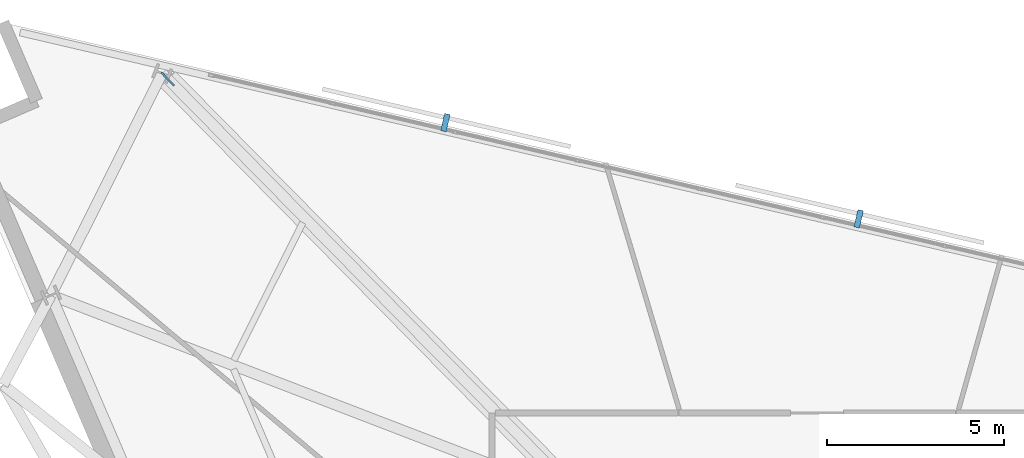
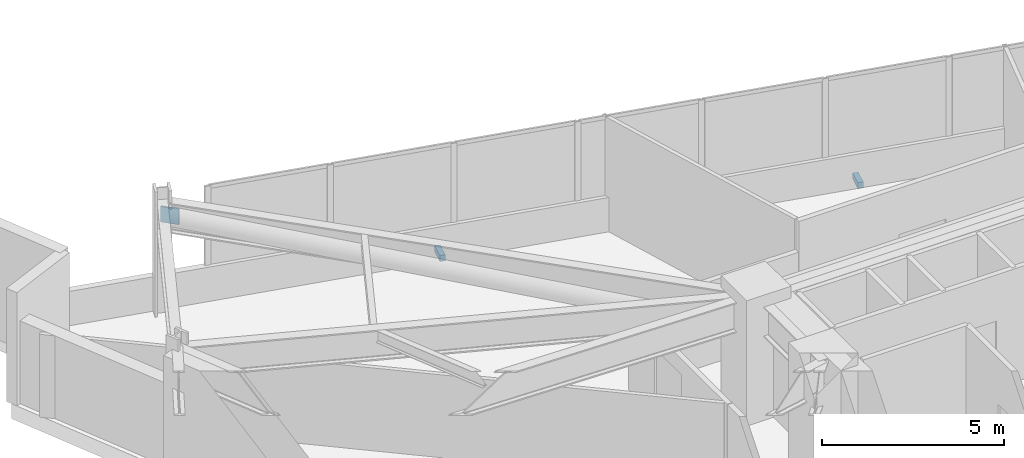
# One storey, part 12 of 14: 3 discrete accessories.
"""IFC4 building model written with IfcOpenShell, lengths in metres."""

from ifc_helpers import new_model, si_unit, direction, frame, origin, origin_2d, place, context, subcontext, project, spatial, rectangle, extrude, material, type_object, element, save


model = new_model("IFC4")

# Units and contexts
model_context = context("Model", 3, precision=1e-05, world=origin(), true_north=direction((0.0, 1.0)))
body_context = subcontext(model_context, "Body", "Model", "MODEL_VIEW")
ifc_project = project(units=[si_unit("LENGTHUNIT", "METRE"), si_unit("AREAUNIT", "SQUARE_METRE"), si_unit("VOLUMEUNIT", "CUBIC_METRE"), si_unit("PLANEANGLEUNIT", "RADIAN"), si_unit("MASSUNIT", "GRAM", prefix="KILO")], contexts=[model_context])

# Site, building, storey
site_placement = place(None, origin())
site = spatial("IfcSite", under=ifc_project, at=site_placement, CompositionType="ELEMENT")
building_placement = place(site_placement, origin())
building = spatial("IfcBuilding", under=site, at=building_placement, Name="Narakoshi Arena Tower", CompositionType="ELEMENT")
storey_placement = place(building_placement, frame((0.0, 0.0, 196.699951171875)))
storey = spatial("IfcBuildingStorey", under=building, at=storey_placement, Name="L53", CompositionType="ELEMENT", Elevation=196.699951171875)

# Discrete accessories
ifc_material_1 = material(Name="Structural steel S355J2", Category="steel")
discrete_accessory_type_1 = type_object("IfcDiscreteAccessoryType", Name="ACC-BRK-SCR", PredefinedType="BRACKET", material=ifc_material_1)
for number, where, z_axis, x_axis, name in (
    (1, (79.8173828125, 64.438720703125, -0.080078125), (0.0, 0.0, 1.0), (-0.973960141659, 0.226719303234, 0.0), "L53 Solar Screen Support Bracket SHD-L53-PLV2-1"),
    (2, (68.1298828125, 67.159423828125, -0.080078125), (0.0, 0.0, 1.0), (-0.973960141659, 0.226719303234, 0.0), "L53 Solar Screen Support Bracket SHD-L53-PLV2-2"),
):
    element("IfcDiscreteAccessory", number, at=place(storey_placement, frame(where, z_axis=z_axis, x_axis=x_axis)), inside=storey, type_object=discrete_accessory_type_1, Name=name, PredefinedType="BRACKET", context=body_context, shape_type="SweptSolid", body=[
        extrude(rectangle(XDim=0.159912109375, YDim=0.5, at=origin_2d()), origin(), (0.0, 0.0, 1.0), 0.199951171875),
    ])
ifc_material_2 = material(Name="Structural steel S460ML", Category="steel")
discrete_accessory_type_2 = type_object("IfcDiscreteAccessoryType", Name="ACC-GUS-PLT", PredefinedType="BRACKET", material=ifc_material_2)
discrete_accessory_placement = place(storey_placement, frame((60.276123046875, 68.39453125, 3.0361328125), z_axis=(0.0, 0.0, 1.0), x_axis=(-0.702028770313, 0.712148583972, 0.0)))
element("IfcDiscreteAccessory", 3, at=discrete_accessory_placement, inside=storey, type_object=discrete_accessory_type_2, Name="L53 Brace Node Gusset Plate 0177", PredefinedType="BRACKET", context=body_context, shape_type="SweptSolid", body=[
    extrude(rectangle(XDim=0.52001953125, YDim=0.050048828125, at=origin_2d()), origin(), (0.0, 0.0, 1.0), 0.52001953125),
])

save(model, "model.ifc")
